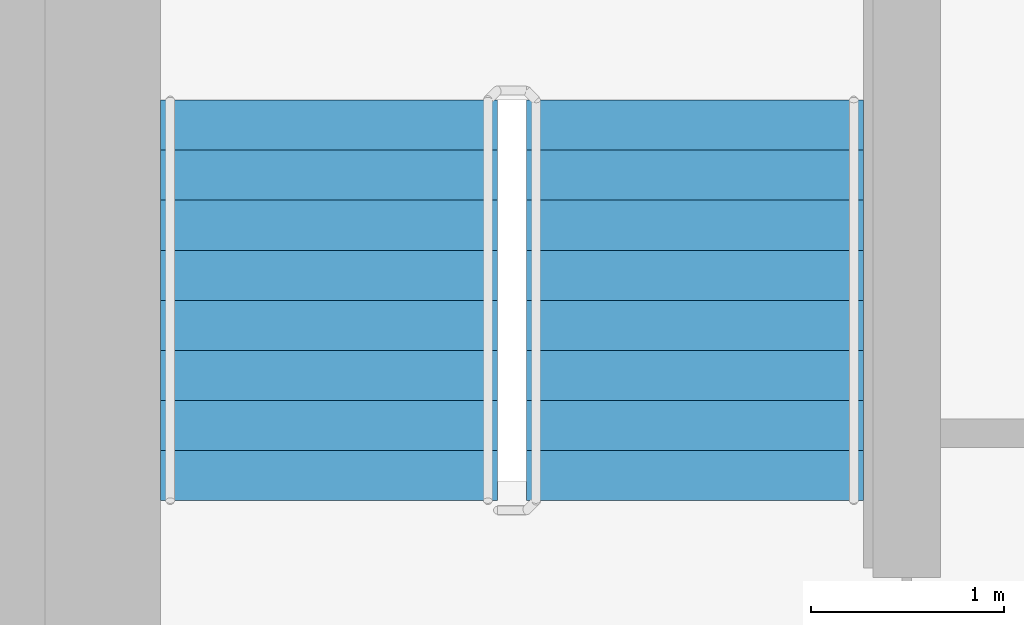
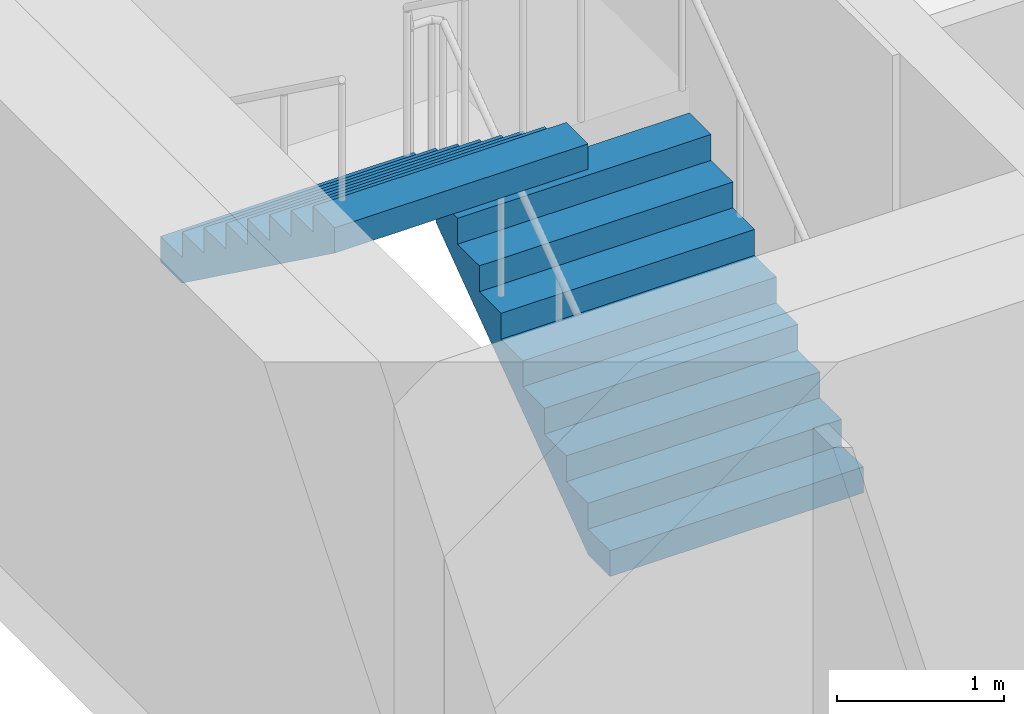
# One storey, part 15 of 18: 2 stair flights, 1 element without a shape of its own.
"""IFC4 building model written with IfcOpenShell, lengths in metres."""

from ifc_helpers import new_model, si_unit, direction, frame, origin, place, context, subcontext, project, spatial, faceted_brep, material, type_object, element, aggregate, save


model = new_model("IFC4")

# Units and contexts
model_context = context("Model", 3, precision=1e-05, world=origin(), true_north=direction((0.0, 1.0)))
body_context = subcontext(model_context, "Body", "Model", "MODEL_VIEW")
ifc_project = project(units=[si_unit("LENGTHUNIT", "METRE"), si_unit("AREAUNIT", "SQUARE_METRE"), si_unit("VOLUMEUNIT", "CUBIC_METRE"), si_unit("PLANEANGLEUNIT", "RADIAN"), si_unit("MASSUNIT", "GRAM", prefix="KILO")], contexts=[model_context])

# Site, building, storey
site_placement = place(None, origin())
site = spatial("IfcSite", under=ifc_project, at=site_placement, CompositionType="ELEMENT")
building_placement = place(site_placement, origin())
building = spatial("IfcBuilding", under=site, at=building_placement, Name="Ipe Terrace Towers", CompositionType="ELEMENT")
storey_placement = place(building_placement, frame((0.0, 0.0, 230.0)))
storey = spatial("IfcBuildingStorey", under=building, at=storey_placement, Name="L64", CompositionType="ELEMENT", Elevation=230.0)

# Stair, stair flights
ifc_material_1 = material(Name="Concrete C30/37", Category="concrete")
stair_type = type_object("IfcStairType", Name="Protected exit stair", PredefinedType="HALF_TURN_STAIR", material=ifc_material_1)
stair_placement = place(storey_placement, origin())
stair = element("IfcStair", 1, at=stair_placement, inside=storey, type_object=stair_type, Name="L64 Exit stair T2-C1", PredefinedType="HALF_TURN_STAIR")
ifc_material_2 = material(Name="Concrete C30/37", Category="concrete")
stair_flight_type = type_object("IfcStairFlightType", Name="Exit stair flight 1750", PredefinedType="STRAIGHT", material=ifc_material_2)
stair_flight_1_placement = place(storey_placement, frame((33.22509765625, 9.699951171875, 0.0), z_axis=(0.0, 0.0, 1.0), x_axis=(0.0, 1.0, 0.0)))
stair_flight_1 = element("IfcStairFlight", 2, at=stair_flight_1_placement, type_object=stair_flight_type, Name="T2-ST1 flight 1", NumberOfRisers=9, NumberOfTreads=8, PredefinedType="STRAIGHT", RiserHeight=0.188888889, TreadLength=0.26, context=body_context, shape_type="Brep", body=[
    faceted_brep([(0.255126953125, -0.875, 0.0), (2.080078125, -0.875, 1.325927734375), (2.080078125, -0.875, 1.51123046875), (1.820068359375, -0.875, 1.51123046875), (1.820068359375, -0.875, 1.322265625), (1.56005859375, -0.875, 1.322265625), (1.56005859375, -0.875, 1.13330078125), (1.300048828125, -0.875, 1.13330078125), (1.300048828125, -0.875, 0.9443359375), (1.0400390625, -0.875, 0.9443359375), (1.0400390625, -0.875, 0.755615234375), (0.780029296875, -0.875, 0.755615234375), (0.780029296875, -0.875, 0.566650390625), (0.52001953125, -0.875, 0.566650390625), (0.52001953125, -0.875, 0.377685546875), (0.260009765625, -0.875, 0.377685546875), (0.260009765625, -0.875, 0.18896484375), (0.0, -0.875, 0.18896484375), (0.0, -0.875, 0.0), (0.0, 0.875, 0.0), (0.0, 0.875, 0.18896484375), (0.260009765625, 0.875, 0.18896484375), (0.260009765625, 0.875, 0.377685546875), (0.52001953125, 0.875, 0.377685546875), (0.52001953125, 0.875, 0.566650390625), (0.780029296875, 0.875, 0.566650390625), (0.780029296875, 0.875, 0.755615234375), (1.0400390625, 0.875, 0.755615234375), (1.0400390625, 0.875, 0.9443359375), (1.300048828125, 0.875, 0.9443359375), (1.300048828125, 0.875, 1.13330078125), (1.56005859375, 0.875, 1.13330078125), (1.56005859375, 0.875, 1.322265625), (1.820068359375, 0.875, 1.322265625), (1.820068359375, 0.875, 1.51123046875), (2.080078125, 0.875, 1.51123046875), (2.080078125, 0.875, 1.325927734375), (0.255126953125, 0.875, 0.0), (0.0, -0.300048828125, 0.18896484375), (0.0, -0.1201171875, 0.18896484375), (0.0, -0.06005859375, 0.18896484375), (0.0, -0.030029296875, 0.18896484375), (0.0, -0.010009765625, 0.18896484375), (0.0, 0.0, 0.18896484375), (0.0, 0.010009765625, 0.18896484375), (0.0, 0.030029296875, 0.18896484375), (0.0, 0.06005859375, 0.18896484375), (0.0, 0.1201171875, 0.18896484375), (0.0, 0.300048828125, 0.18896484375), (0.0, 0.300048828125, 0.0), (0.0, 0.1201171875, 0.0), (0.0, 0.06005859375, 0.0), (0.0, 0.030029296875, 0.0), (0.0, 0.010009765625, 0.0), (0.0, 0.0, 0.0), (0.0, -0.010009765625, 0.0), (0.0, -0.030029296875, 0.0), (0.0, -0.06005859375, 0.0), (0.0, -0.1201171875, 0.0), (0.0, -0.300048828125, 0.0), (0.260009765625, -0.300048828125, 0.18896484375), (0.260009765625, -0.1201171875, 0.18896484375), (0.260009765625, -0.06005859375, 0.18896484375), (0.260009765625, -0.030029296875, 0.18896484375), (0.260009765625, -0.010009765625, 0.18896484375), (0.260009765625, 0.0, 0.18896484375), (0.260009765625, 0.010009765625, 0.18896484375), (0.260009765625, 0.030029296875, 0.18896484375), (0.260009765625, 0.06005859375, 0.18896484375), (0.260009765625, 0.1201171875, 0.18896484375), (0.260009765625, 0.300048828125, 0.18896484375), (0.260009765625, -0.300048828125, 0.377685546875), (0.260009765625, -0.1201171875, 0.377685546875), (0.260009765625, -0.06005859375, 0.377685546875), (0.260009765625, -0.030029296875, 0.377685546875), (0.260009765625, -0.010009765625, 0.377685546875), (0.260009765625, 0.0, 0.377685546875), (0.260009765625, 0.010009765625, 0.377685546875), (0.260009765625, 0.030029296875, 0.377685546875), (0.260009765625, 0.06005859375, 0.377685546875), (0.260009765625, 0.1201171875, 0.377685546875), (0.260009765625, 0.300048828125, 0.377685546875), (0.52001953125, -0.300048828125, 0.377685546875), (0.52001953125, -0.1201171875, 0.377685546875), (0.52001953125, -0.06005859375, 0.377685546875), (0.52001953125, -0.030029296875, 0.377685546875), (0.52001953125, -0.010009765625, 0.377685546875), (0.52001953125, 0.0, 0.377685546875), (0.52001953125, 0.010009765625, 0.377685546875), (0.52001953125, 0.030029296875, 0.377685546875), (0.52001953125, 0.06005859375, 0.377685546875), (0.52001953125, 0.1201171875, 0.377685546875), (0.52001953125, 0.300048828125, 0.377685546875), (0.52001953125, -0.300048828125, 0.566650390625), (0.52001953125, -0.1201171875, 0.566650390625), (0.52001953125, -0.06005859375, 0.566650390625), (0.52001953125, -0.030029296875, 0.566650390625), (0.52001953125, -0.010009765625, 0.566650390625), (0.52001953125, 0.0, 0.566650390625), (0.52001953125, 0.010009765625, 0.566650390625), (0.52001953125, 0.030029296875, 0.566650390625), (0.52001953125, 0.06005859375, 0.566650390625), (0.52001953125, 0.1201171875, 0.566650390625), (0.52001953125, 0.300048828125, 0.566650390625), (0.780029296875, -0.300048828125, 0.566650390625), (0.780029296875, -0.1201171875, 0.566650390625), (0.780029296875, -0.06005859375, 0.566650390625), (0.780029296875, -0.030029296875, 0.566650390625), (0.780029296875, -0.010009765625, 0.566650390625), (0.780029296875, 0.0, 0.566650390625), (0.780029296875, 0.010009765625, 0.566650390625), (0.780029296875, 0.030029296875, 0.566650390625), (0.780029296875, 0.06005859375, 0.566650390625), (0.780029296875, 0.1201171875, 0.566650390625), (0.780029296875, 0.300048828125, 0.566650390625), (0.780029296875, -0.300048828125, 0.755615234375), (0.780029296875, -0.1201171875, 0.755615234375), (0.780029296875, -0.06005859375, 0.755615234375), (0.780029296875, -0.030029296875, 0.755615234375), (0.780029296875, -0.010009765625, 0.755615234375), (0.780029296875, 0.0, 0.755615234375), (0.780029296875, 0.010009765625, 0.755615234375), (0.780029296875, 0.030029296875, 0.755615234375), (0.780029296875, 0.06005859375, 0.755615234375), (0.780029296875, 0.1201171875, 0.755615234375), (0.780029296875, 0.300048828125, 0.755615234375), (1.0400390625, -0.300048828125, 0.755615234375), (1.0400390625, -0.1201171875, 0.755615234375), (1.0400390625, -0.06005859375, 0.755615234375), (1.0400390625, -0.030029296875, 0.755615234375), (1.0400390625, -0.010009765625, 0.755615234375), (1.0400390625, 0.0, 0.755615234375), (1.0400390625, 0.010009765625, 0.755615234375), (1.0400390625, 0.030029296875, 0.755615234375), (1.0400390625, 0.06005859375, 0.755615234375), (1.0400390625, 0.1201171875, 0.755615234375), (1.0400390625, 0.300048828125, 0.755615234375), (1.0400390625, -0.300048828125, 0.9443359375), (1.0400390625, -0.1201171875, 0.9443359375), (1.0400390625, -0.06005859375, 0.9443359375), (1.0400390625, -0.030029296875, 0.9443359375), (1.0400390625, -0.010009765625, 0.9443359375), (1.0400390625, 0.0, 0.9443359375), (1.0400390625, 0.010009765625, 0.9443359375), (1.0400390625, 0.030029296875, 0.9443359375), (1.0400390625, 0.06005859375, 0.9443359375), (1.0400390625, 0.1201171875, 0.9443359375), (1.0400390625, 0.300048828125, 0.9443359375), (1.300048828125, -0.300048828125, 0.9443359375), (1.300048828125, -0.1201171875, 0.9443359375), (1.300048828125, -0.06005859375, 0.9443359375), (1.300048828125, -0.030029296875, 0.9443359375), (1.300048828125, -0.010009765625, 0.9443359375), (1.300048828125, 0.0, 0.9443359375), (1.300048828125, 0.010009765625, 0.9443359375), (1.300048828125, 0.030029296875, 0.9443359375), (1.300048828125, 0.06005859375, 0.9443359375), (1.300048828125, 0.1201171875, 0.9443359375), (1.300048828125, 0.300048828125, 0.9443359375), (1.300048828125, -0.300048828125, 1.13330078125), (1.300048828125, -0.1201171875, 1.13330078125), (1.300048828125, -0.06005859375, 1.13330078125), (1.300048828125, -0.030029296875, 1.13330078125), (1.300048828125, -0.010009765625, 1.13330078125), (1.300048828125, 0.0, 1.13330078125), (1.300048828125, 0.010009765625, 1.13330078125), (1.300048828125, 0.030029296875, 1.13330078125), (1.300048828125, 0.06005859375, 1.13330078125), (1.300048828125, 0.1201171875, 1.13330078125), (1.300048828125, 0.300048828125, 1.13330078125), (1.56005859375, -0.300048828125, 1.13330078125), (1.56005859375, -0.1201171875, 1.13330078125), (1.56005859375, -0.06005859375, 1.13330078125), (1.56005859375, -0.030029296875, 1.13330078125), (1.56005859375, -0.010009765625, 1.13330078125), (1.56005859375, 0.0, 1.13330078125), (1.56005859375, 0.010009765625, 1.13330078125), (1.56005859375, 0.030029296875, 1.13330078125), (1.56005859375, 0.06005859375, 1.13330078125), (1.56005859375, 0.1201171875, 1.13330078125), (1.56005859375, 0.300048828125, 1.13330078125), (1.56005859375, -0.300048828125, 1.322265625), (1.56005859375, -0.1201171875, 1.322265625), (1.56005859375, -0.06005859375, 1.322265625), (1.56005859375, -0.030029296875, 1.322265625), (1.56005859375, -0.010009765625, 1.322265625), (1.56005859375, 0.0, 1.322265625), (1.56005859375, 0.010009765625, 1.322265625), (1.56005859375, 0.030029296875, 1.322265625), (1.56005859375, 0.06005859375, 1.322265625), (1.56005859375, 0.1201171875, 1.322265625), (1.56005859375, 0.300048828125, 1.322265625), (1.820068359375, -0.300048828125, 1.322265625), (1.820068359375, -0.1201171875, 1.322265625), (1.820068359375, -0.06005859375, 1.322265625), (1.820068359375, -0.030029296875, 1.322265625), (1.820068359375, -0.010009765625, 1.322265625), (1.820068359375, 0.0, 1.322265625), (1.820068359375, 0.010009765625, 1.322265625), (1.820068359375, 0.030029296875, 1.322265625), (1.820068359375, 0.06005859375, 1.322265625), (1.820068359375, 0.1201171875, 1.322265625), (1.820068359375, 0.300048828125, 1.322265625), (1.820068359375, -0.300048828125, 1.51123046875), (1.820068359375, -0.1201171875, 1.51123046875), (1.820068359375, -0.06005859375, 1.51123046875), (1.820068359375, -0.030029296875, 1.51123046875), (1.820068359375, -0.010009765625, 1.51123046875), (1.820068359375, 0.0, 1.51123046875), (1.820068359375, 0.010009765625, 1.51123046875), (1.820068359375, 0.030029296875, 1.51123046875), (1.820068359375, 0.06005859375, 1.51123046875), (1.820068359375, 0.1201171875, 1.51123046875), (1.820068359375, 0.300048828125, 1.51123046875), (2.080078125, -0.300048828125, 1.51123046875), (2.080078125, -0.1201171875, 1.51123046875), (2.080078125, -0.06005859375, 1.51123046875), (2.080078125, -0.030029296875, 1.51123046875), (2.080078125, -0.010009765625, 1.51123046875), (2.080078125, 0.0, 1.51123046875), (2.080078125, 0.010009765625, 1.51123046875), (2.080078125, 0.030029296875, 1.51123046875), (2.080078125, 0.06005859375, 1.51123046875), (2.080078125, 0.1201171875, 1.51123046875), (2.080078125, 0.300048828125, 1.51123046875), (2.080078125, -0.300048828125, 1.325927734375), (2.080078125, -0.1201171875, 1.325927734375), (2.080078125, -0.06005859375, 1.325927734375), (2.080078125, -0.030029296875, 1.325927734375), (2.080078125, -0.010009765625, 1.325927734375), (2.080078125, 0.0, 1.325927734375), (2.080078125, 0.010009765625, 1.325927734375), (2.080078125, 0.030029296875, 1.325927734375), (2.080078125, 0.06005859375, 1.325927734375), (2.080078125, 0.1201171875, 1.325927734375), (2.080078125, 0.300048828125, 1.325927734375), (0.255126953125, -0.300048828125, 0.0), (0.255126953125, -0.1201171875, 0.0), (0.255126953125, -0.06005859375, 0.0), (0.255126953125, -0.030029296875, 0.0), (0.255126953125, -0.010009765625, 0.0), (0.255126953125, 0.0, 0.0), (0.255126953125, 0.010009765625, 0.0), (0.255126953125, 0.030029296875, 0.0), (0.255126953125, 0.06005859375, 0.0), (0.255126953125, 0.1201171875, 0.0), (0.255126953125, 0.300048828125, 0.0)], [[[0, 1, 2, 3, 4, 5, 6, 7, 8, 9, 10, 11, 12, 13, 14, 15, 16, 17, 18]], [[19, 20, 21, 22, 23, 24, 25, 26, 27, 28, 29, 30, 31, 32, 33, 34, 35, 36, 37]], [[17, 38, 39, 40, 41, 42, 43, 44, 45, 46, 47, 48, 20, 19, 49, 50, 51, 52, 53, 54, 55, 56, 57, 58, 59, 18]], [[16, 60, 61, 62, 63, 64, 65, 66, 67, 68, 69, 70, 21, 20, 48, 47, 46, 45, 44, 43, 42, 41, 40, 39, 38, 17]], [[15, 71, 72, 73, 74, 75, 76, 77, 78, 79, 80, 81, 22, 21, 70, 69, 68, 67, 66, 65, 64, 63, 62, 61, 60, 16]], [[14, 82, 83, 84, 85, 86, 87, 88, 89, 90, 91, 92, 23, 22, 81, 80, 79, 78, 77, 76, 75, 74, 73, 72, 71, 15]], [[13, 93, 94, 95, 96, 97, 98, 99, 100, 101, 102, 103, 24, 23, 92, 91, 90, 89, 88, 87, 86, 85, 84, 83, 82, 14]], [[12, 104, 105, 106, 107, 108, 109, 110, 111, 112, 113, 114, 25, 24, 103, 102, 101, 100, 99, 98, 97, 96, 95, 94, 93, 13]], [[11, 115, 116, 117, 118, 119, 120, 121, 122, 123, 124, 125, 26, 25, 114, 113, 112, 111, 110, 109, 108, 107, 106, 105, 104, 12]], [[10, 126, 127, 128, 129, 130, 131, 132, 133, 134, 135, 136, 27, 26, 125, 124, 123, 122, 121, 120, 119, 118, 117, 116, 115, 11]], [[9, 137, 138, 139, 140, 141, 142, 143, 144, 145, 146, 147, 28, 27, 136, 135, 134, 133, 132, 131, 130, 129, 128, 127, 126, 10]], [[8, 148, 149, 150, 151, 152, 153, 154, 155, 156, 157, 158, 29, 28, 147, 146, 145, 144, 143, 142, 141, 140, 139, 138, 137, 9]], [[7, 159, 160, 161, 162, 163, 164, 165, 166, 167, 168, 169, 30, 29, 158, 157, 156, 155, 154, 153, 152, 151, 150, 149, 148, 8]], [[6, 170, 171, 172, 173, 174, 175, 176, 177, 178, 179, 180, 31, 30, 169, 168, 167, 166, 165, 164, 163, 162, 161, 160, 159, 7]], [[5, 181, 182, 183, 184, 185, 186, 187, 188, 189, 190, 191, 32, 31, 180, 179, 178, 177, 176, 175, 174, 173, 172, 171, 170, 6]], [[4, 192, 193, 194, 195, 196, 197, 198, 199, 200, 201, 202, 33, 32, 191, 190, 189, 188, 187, 186, 185, 184, 183, 182, 181, 5]], [[3, 203, 204, 205, 206, 207, 208, 209, 210, 211, 212, 213, 34, 33, 202, 201, 200, 199, 198, 197, 196, 195, 194, 193, 192, 4]], [[2, 214, 215, 216, 217, 218, 219, 220, 221, 222, 223, 224, 35, 34, 213, 212, 211, 210, 209, 208, 207, 206, 205, 204, 203, 3]], [[1, 225, 226, 227, 228, 229, 230, 231, 232, 233, 234, 235, 36, 35, 224, 223, 222, 221, 220, 219, 218, 217, 216, 215, 214, 2]], [[0, 236, 237, 238, 239, 240, 241, 242, 243, 244, 245, 246, 37, 36, 235, 234, 233, 232, 231, 230, 229, 228, 227, 226, 225, 1]], [[18, 59, 58, 57, 56, 55, 54, 53, 52, 51, 50, 49, 19, 37, 246, 245, 244, 243, 242, 241, 240, 239, 238, 237, 236, 0]]]),
])
stair_flight_2_placement = place(storey_placement, frame((31.324951171875, 11.780029296875, 1.699951171875), z_axis=(0.0, 0.0, 1.0), x_axis=(0.0, -1.0, 0.0)))
stair_flight_2 = element("IfcStairFlight", 3, at=stair_flight_2_placement, type_object=stair_flight_type, Name="T2-ST1 flight 2", NumberOfRisers=9, NumberOfTreads=8, PredefinedType="STRAIGHT", RiserHeight=0.188888889, TreadLength=0.26, context=body_context, shape_type="Brep", body=[
    faceted_brep([(0.255126953125, -0.875, 0.0), (2.080078125, -0.875, 1.325927734375), (2.080078125, -0.875, 1.51123046875), (1.820068359375, -0.875, 1.51123046875), (1.820068359375, -0.875, 1.322265625), (1.56005859375, -0.875, 1.322265625), (1.56005859375, -0.875, 1.13330078125), (1.300048828125, -0.875, 1.13330078125), (1.300048828125, -0.875, 0.9443359375), (1.0400390625, -0.875, 0.9443359375), (1.0400390625, -0.875, 0.755615234375), (0.780029296875, -0.875, 0.755615234375), (0.780029296875, -0.875, 0.566650390625), (0.52001953125, -0.875, 0.566650390625), (0.52001953125, -0.875, 0.377685546875), (0.260009765625, -0.875, 0.377685546875), (0.260009765625, -0.875, 0.18896484375), (0.0, -0.875, 0.18896484375), (0.0, -0.875, 0.0), (0.0, 0.875, 0.0), (0.0, 0.875, 0.18896484375), (0.260009765625, 0.875, 0.18896484375), (0.260009765625, 0.875, 0.377685546875), (0.52001953125, 0.875, 0.377685546875), (0.52001953125, 0.875, 0.566650390625), (0.780029296875, 0.875, 0.566650390625), (0.780029296875, 0.875, 0.755615234375), (1.0400390625, 0.875, 0.755615234375), (1.0400390625, 0.875, 0.9443359375), (1.300048828125, 0.875, 0.9443359375), (1.300048828125, 0.875, 1.13330078125), (1.56005859375, 0.875, 1.13330078125), (1.56005859375, 0.875, 1.322265625), (1.820068359375, 0.875, 1.322265625), (1.820068359375, 0.875, 1.51123046875), (2.080078125, 0.875, 1.51123046875), (2.080078125, 0.875, 1.325927734375), (0.255126953125, 0.875, 0.0), (0.0, -0.300048828125, 0.18896484375), (0.0, -0.1201171875, 0.18896484375), (0.0, -0.06005859375, 0.18896484375), (0.0, -0.030029296875, 0.18896484375), (0.0, -0.010009765625, 0.18896484375), (0.0, 0.0, 0.18896484375), (0.0, 0.010009765625, 0.18896484375), (0.0, 0.030029296875, 0.18896484375), (0.0, 0.06005859375, 0.18896484375), (0.0, 0.1201171875, 0.18896484375), (0.0, 0.300048828125, 0.18896484375), (0.0, 0.300048828125, 0.0), (0.0, 0.1201171875, 0.0), (0.0, 0.06005859375, 0.0), (0.0, 0.030029296875, 0.0), (0.0, 0.010009765625, 0.0), (0.0, 0.0, 0.0), (0.0, -0.010009765625, 0.0), (0.0, -0.030029296875, 0.0), (0.0, -0.06005859375, 0.0), (0.0, -0.1201171875, 0.0), (0.0, -0.300048828125, 0.0), (0.260009765625, -0.300048828125, 0.18896484375), (0.260009765625, -0.1201171875, 0.18896484375), (0.260009765625, -0.06005859375, 0.18896484375), (0.260009765625, -0.030029296875, 0.18896484375), (0.260009765625, -0.010009765625, 0.18896484375), (0.260009765625, 0.0, 0.18896484375), (0.260009765625, 0.010009765625, 0.18896484375), (0.260009765625, 0.030029296875, 0.18896484375), (0.260009765625, 0.06005859375, 0.18896484375), (0.260009765625, 0.1201171875, 0.18896484375), (0.260009765625, 0.300048828125, 0.18896484375), (0.260009765625, -0.300048828125, 0.377685546875), (0.260009765625, -0.1201171875, 0.377685546875), (0.260009765625, -0.06005859375, 0.377685546875), (0.260009765625, -0.030029296875, 0.377685546875), (0.260009765625, -0.010009765625, 0.377685546875), (0.260009765625, 0.0, 0.377685546875), (0.260009765625, 0.010009765625, 0.377685546875), (0.260009765625, 0.030029296875, 0.377685546875), (0.260009765625, 0.06005859375, 0.377685546875), (0.260009765625, 0.1201171875, 0.377685546875), (0.260009765625, 0.300048828125, 0.377685546875), (0.52001953125, -0.300048828125, 0.377685546875), (0.52001953125, -0.1201171875, 0.377685546875), (0.52001953125, -0.06005859375, 0.377685546875), (0.52001953125, -0.030029296875, 0.377685546875), (0.52001953125, -0.010009765625, 0.377685546875), (0.52001953125, 0.0, 0.377685546875), (0.52001953125, 0.010009765625, 0.377685546875), (0.52001953125, 0.030029296875, 0.377685546875), (0.52001953125, 0.06005859375, 0.377685546875), (0.52001953125, 0.1201171875, 0.377685546875), (0.52001953125, 0.300048828125, 0.377685546875), (0.52001953125, -0.300048828125, 0.566650390625), (0.52001953125, -0.1201171875, 0.566650390625), (0.52001953125, -0.06005859375, 0.566650390625), (0.52001953125, -0.030029296875, 0.566650390625), (0.52001953125, -0.010009765625, 0.566650390625), (0.52001953125, 0.0, 0.566650390625), (0.52001953125, 0.010009765625, 0.566650390625), (0.52001953125, 0.030029296875, 0.566650390625), (0.52001953125, 0.06005859375, 0.566650390625), (0.52001953125, 0.1201171875, 0.566650390625), (0.52001953125, 0.300048828125, 0.566650390625), (0.780029296875, -0.300048828125, 0.566650390625), (0.780029296875, -0.1201171875, 0.566650390625), (0.780029296875, -0.06005859375, 0.566650390625), (0.780029296875, -0.030029296875, 0.566650390625), (0.780029296875, -0.010009765625, 0.566650390625), (0.780029296875, 0.0, 0.566650390625), (0.780029296875, 0.010009765625, 0.566650390625), (0.780029296875, 0.030029296875, 0.566650390625), (0.780029296875, 0.06005859375, 0.566650390625), (0.780029296875, 0.1201171875, 0.566650390625), (0.780029296875, 0.300048828125, 0.566650390625), (0.780029296875, -0.300048828125, 0.755615234375), (0.780029296875, -0.1201171875, 0.755615234375), (0.780029296875, -0.06005859375, 0.755615234375), (0.780029296875, -0.030029296875, 0.755615234375), (0.780029296875, -0.010009765625, 0.755615234375), (0.780029296875, 0.0, 0.755615234375), (0.780029296875, 0.010009765625, 0.755615234375), (0.780029296875, 0.030029296875, 0.755615234375), (0.780029296875, 0.06005859375, 0.755615234375), (0.780029296875, 0.1201171875, 0.755615234375), (0.780029296875, 0.300048828125, 0.755615234375), (1.0400390625, -0.300048828125, 0.755615234375), (1.0400390625, -0.1201171875, 0.755615234375), (1.0400390625, -0.06005859375, 0.755615234375), (1.0400390625, -0.030029296875, 0.755615234375), (1.0400390625, -0.010009765625, 0.755615234375), (1.0400390625, 0.0, 0.755615234375), (1.0400390625, 0.010009765625, 0.755615234375), (1.0400390625, 0.030029296875, 0.755615234375), (1.0400390625, 0.06005859375, 0.755615234375), (1.0400390625, 0.1201171875, 0.755615234375), (1.0400390625, 0.300048828125, 0.755615234375), (1.0400390625, -0.300048828125, 0.9443359375), (1.0400390625, -0.1201171875, 0.9443359375), (1.0400390625, -0.06005859375, 0.9443359375), (1.0400390625, -0.030029296875, 0.9443359375), (1.0400390625, -0.010009765625, 0.9443359375), (1.0400390625, 0.0, 0.9443359375), (1.0400390625, 0.010009765625, 0.9443359375), (1.0400390625, 0.030029296875, 0.9443359375), (1.0400390625, 0.06005859375, 0.9443359375), (1.0400390625, 0.1201171875, 0.9443359375), (1.0400390625, 0.300048828125, 0.9443359375), (1.300048828125, -0.300048828125, 0.9443359375), (1.300048828125, -0.1201171875, 0.9443359375), (1.300048828125, -0.06005859375, 0.9443359375), (1.300048828125, -0.030029296875, 0.9443359375), (1.300048828125, -0.010009765625, 0.9443359375), (1.300048828125, 0.0, 0.9443359375), (1.300048828125, 0.010009765625, 0.9443359375), (1.300048828125, 0.030029296875, 0.9443359375), (1.300048828125, 0.06005859375, 0.9443359375), (1.300048828125, 0.1201171875, 0.9443359375), (1.300048828125, 0.300048828125, 0.9443359375), (1.300048828125, -0.300048828125, 1.13330078125), (1.300048828125, -0.1201171875, 1.13330078125), (1.300048828125, -0.06005859375, 1.13330078125), (1.300048828125, -0.030029296875, 1.13330078125), (1.300048828125, -0.010009765625, 1.13330078125), (1.300048828125, 0.0, 1.13330078125), (1.300048828125, 0.010009765625, 1.13330078125), (1.300048828125, 0.030029296875, 1.13330078125), (1.300048828125, 0.06005859375, 1.13330078125), (1.300048828125, 0.1201171875, 1.13330078125), (1.300048828125, 0.300048828125, 1.13330078125), (1.56005859375, -0.300048828125, 1.13330078125), (1.56005859375, -0.1201171875, 1.13330078125), (1.56005859375, -0.06005859375, 1.13330078125), (1.56005859375, -0.030029296875, 1.13330078125), (1.56005859375, -0.010009765625, 1.13330078125), (1.56005859375, 0.0, 1.13330078125), (1.56005859375, 0.010009765625, 1.13330078125), (1.56005859375, 0.030029296875, 1.13330078125), (1.56005859375, 0.06005859375, 1.13330078125), (1.56005859375, 0.1201171875, 1.13330078125), (1.56005859375, 0.300048828125, 1.13330078125), (1.56005859375, -0.300048828125, 1.322265625), (1.56005859375, -0.1201171875, 1.322265625), (1.56005859375, -0.06005859375, 1.322265625), (1.56005859375, -0.030029296875, 1.322265625), (1.56005859375, -0.010009765625, 1.322265625), (1.56005859375, 0.0, 1.322265625), (1.56005859375, 0.010009765625, 1.322265625), (1.56005859375, 0.030029296875, 1.322265625), (1.56005859375, 0.06005859375, 1.322265625), (1.56005859375, 0.1201171875, 1.322265625), (1.56005859375, 0.300048828125, 1.322265625), (1.820068359375, -0.300048828125, 1.322265625), (1.820068359375, -0.1201171875, 1.322265625), (1.820068359375, -0.06005859375, 1.322265625), (1.820068359375, -0.030029296875, 1.322265625), (1.820068359375, -0.010009765625, 1.322265625), (1.820068359375, 0.0, 1.322265625), (1.820068359375, 0.010009765625, 1.322265625), (1.820068359375, 0.030029296875, 1.322265625), (1.820068359375, 0.06005859375, 1.322265625), (1.820068359375, 0.1201171875, 1.322265625), (1.820068359375, 0.300048828125, 1.322265625), (1.820068359375, -0.300048828125, 1.51123046875), (1.820068359375, -0.1201171875, 1.51123046875), (1.820068359375, -0.06005859375, 1.51123046875), (1.820068359375, -0.030029296875, 1.51123046875), (1.820068359375, -0.010009765625, 1.51123046875), (1.820068359375, 0.0, 1.51123046875), (1.820068359375, 0.010009765625, 1.51123046875), (1.820068359375, 0.030029296875, 1.51123046875), (1.820068359375, 0.06005859375, 1.51123046875), (1.820068359375, 0.1201171875, 1.51123046875), (1.820068359375, 0.300048828125, 1.51123046875), (2.080078125, -0.300048828125, 1.51123046875), (2.080078125, -0.1201171875, 1.51123046875), (2.080078125, -0.06005859375, 1.51123046875), (2.080078125, -0.030029296875, 1.51123046875), (2.080078125, -0.010009765625, 1.51123046875), (2.080078125, 0.0, 1.51123046875), (2.080078125, 0.010009765625, 1.51123046875), (2.080078125, 0.030029296875, 1.51123046875), (2.080078125, 0.06005859375, 1.51123046875), (2.080078125, 0.1201171875, 1.51123046875), (2.080078125, 0.300048828125, 1.51123046875), (2.080078125, -0.300048828125, 1.325927734375), (2.080078125, -0.1201171875, 1.325927734375), (2.080078125, -0.06005859375, 1.325927734375), (2.080078125, -0.030029296875, 1.325927734375), (2.080078125, -0.010009765625, 1.325927734375), (2.080078125, 0.0, 1.325927734375), (2.080078125, 0.010009765625, 1.325927734375), (2.080078125, 0.030029296875, 1.325927734375), (2.080078125, 0.06005859375, 1.325927734375), (2.080078125, 0.1201171875, 1.325927734375), (2.080078125, 0.300048828125, 1.325927734375), (0.255126953125, -0.300048828125, 0.0), (0.255126953125, -0.1201171875, 0.0), (0.255126953125, -0.06005859375, 0.0), (0.255126953125, -0.030029296875, 0.0), (0.255126953125, -0.010009765625, 0.0), (0.255126953125, 0.0, 0.0), (0.255126953125, 0.010009765625, 0.0), (0.255126953125, 0.030029296875, 0.0), (0.255126953125, 0.06005859375, 0.0), (0.255126953125, 0.1201171875, 0.0), (0.255126953125, 0.300048828125, 0.0)], [[[0, 1, 2, 3, 4, 5, 6, 7, 8, 9, 10, 11, 12, 13, 14, 15, 16, 17, 18]], [[19, 20, 21, 22, 23, 24, 25, 26, 27, 28, 29, 30, 31, 32, 33, 34, 35, 36, 37]], [[17, 38, 39, 40, 41, 42, 43, 44, 45, 46, 47, 48, 20, 19, 49, 50, 51, 52, 53, 54, 55, 56, 57, 58, 59, 18]], [[16, 60, 61, 62, 63, 64, 65, 66, 67, 68, 69, 70, 21, 20, 48, 47, 46, 45, 44, 43, 42, 41, 40, 39, 38, 17]], [[15, 71, 72, 73, 74, 75, 76, 77, 78, 79, 80, 81, 22, 21, 70, 69, 68, 67, 66, 65, 64, 63, 62, 61, 60, 16]], [[14, 82, 83, 84, 85, 86, 87, 88, 89, 90, 91, 92, 23, 22, 81, 80, 79, 78, 77, 76, 75, 74, 73, 72, 71, 15]], [[13, 93, 94, 95, 96, 97, 98, 99, 100, 101, 102, 103, 24, 23, 92, 91, 90, 89, 88, 87, 86, 85, 84, 83, 82, 14]], [[12, 104, 105, 106, 107, 108, 109, 110, 111, 112, 113, 114, 25, 24, 103, 102, 101, 100, 99, 98, 97, 96, 95, 94, 93, 13]], [[11, 115, 116, 117, 118, 119, 120, 121, 122, 123, 124, 125, 26, 25, 114, 113, 112, 111, 110, 109, 108, 107, 106, 105, 104, 12]], [[10, 126, 127, 128, 129, 130, 131, 132, 133, 134, 135, 136, 27, 26, 125, 124, 123, 122, 121, 120, 119, 118, 117, 116, 115, 11]], [[9, 137, 138, 139, 140, 141, 142, 143, 144, 145, 146, 147, 28, 27, 136, 135, 134, 133, 132, 131, 130, 129, 128, 127, 126, 10]], [[8, 148, 149, 150, 151, 152, 153, 154, 155, 156, 157, 158, 29, 28, 147, 146, 145, 144, 143, 142, 141, 140, 139, 138, 137, 9]], [[7, 159, 160, 161, 162, 163, 164, 165, 166, 167, 168, 169, 30, 29, 158, 157, 156, 155, 154, 153, 152, 151, 150, 149, 148, 8]], [[6, 170, 171, 172, 173, 174, 175, 176, 177, 178, 179, 180, 31, 30, 169, 168, 167, 166, 165, 164, 163, 162, 161, 160, 159, 7]], [[5, 181, 182, 183, 184, 185, 186, 187, 188, 189, 190, 191, 32, 31, 180, 179, 178, 177, 176, 175, 174, 173, 172, 171, 170, 6]], [[4, 192, 193, 194, 195, 196, 197, 198, 199, 200, 201, 202, 33, 32, 191, 190, 189, 188, 187, 186, 185, 184, 183, 182, 181, 5]], [[3, 203, 204, 205, 206, 207, 208, 209, 210, 211, 212, 213, 34, 33, 202, 201, 200, 199, 198, 197, 196, 195, 194, 193, 192, 4]], [[2, 214, 215, 216, 217, 218, 219, 220, 221, 222, 223, 224, 35, 34, 213, 212, 211, 210, 209, 208, 207, 206, 205, 204, 203, 3]], [[1, 225, 226, 227, 228, 229, 230, 231, 232, 233, 234, 235, 36, 35, 224, 223, 222, 221, 220, 219, 218, 217, 216, 215, 214, 2]], [[0, 236, 237, 238, 239, 240, 241, 242, 243, 244, 245, 246, 37, 36, 235, 234, 233, 232, 231, 230, 229, 228, 227, 226, 225, 1]], [[18, 59, 58, 57, 56, 55, 54, 53, 52, 51, 50, 49, 19, 37, 246, 245, 244, 243, 242, 241, 240, 239, 238, 237, 236, 0]]]),
])
aggregate(stair, [stair_flight_1, stair_flight_2])

save(model, "model.ifc")
